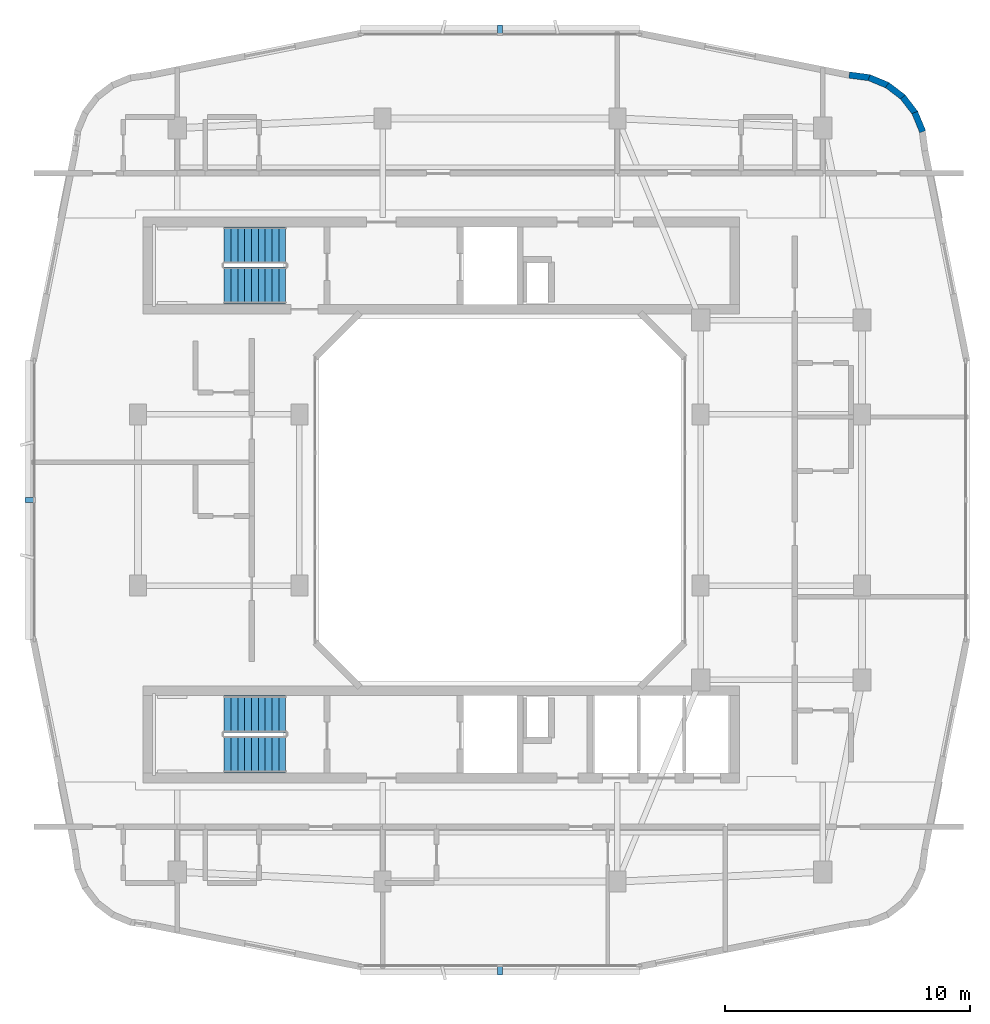
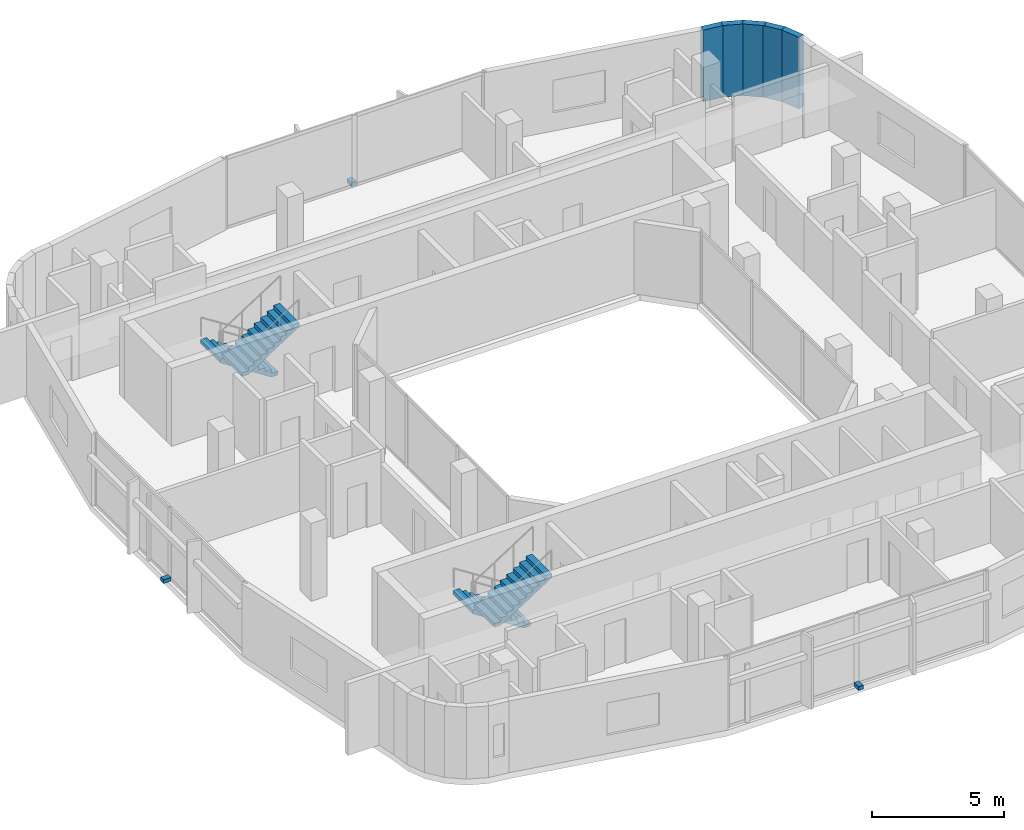
# One storey, part 10 of 14: 5 walls, 4 stair flights, 3 discrete accessories, 2 elements without a shape of their own.
"""IFC4 building model written with IfcOpenShell, lengths in metres."""

from ifc_helpers import new_model, si_unit, derived_unit, direction, frame, frame_2d, origin, origin_2d, place, context, subcontext, project, spatial, polyline, rectangle, outline, extrude, material, layer, layer_set, type_object, element, aggregate, save


model = new_model("IFC4")

# Units and contexts
model_context = context("Model", 3, precision=1e-05, world=origin(), true_north=direction((0.0, 1.0)))
body_context = subcontext(model_context, "Body", "Model", "MODEL_VIEW")
ifc_project = project(units=[si_unit("LENGTHUNIT", "METRE"), si_unit("AREAUNIT", "SQUARE_METRE"), si_unit("VOLUMEUNIT", "CUBIC_METRE"), si_unit("PLANEANGLEUNIT", "RADIAN"), si_unit("MASSUNIT", "GRAM", prefix="KILO"), derived_unit("THERMALTRANSMITTANCEUNIT", [(si_unit("POWERUNIT", "WATT"), 1), (si_unit("LENGTHUNIT", "METRE"), -2), (si_unit("THERMODYNAMICTEMPERATUREUNIT", "KELVIN"), -1)])], contexts=[model_context])

# Site, building, storey
site_placement = place(None, origin())
site = spatial("IfcSite", under=ifc_project, at=site_placement, CompositionType="ELEMENT")
building_placement = place(site_placement, origin())
building = spatial("IfcBuilding", under=site, at=building_placement, Name="Kivonza Crest Hotel", CompositionType="ELEMENT")
storey_placement = place(building_placement, frame((0.0, 0.0, 206.300048828125)))
storey = spatial("IfcBuildingStorey", under=building, at=storey_placement, Name="L56", CompositionType="ELEMENT", Elevation=206.300048828125)

# Walls
ifc_material_1 = material(Name="Precast concrete C40/50", Category="concrete")
ifc_layer = layer(ifc_material_1, 0.260009765625)
ifc_layer_set = layer_set([ifc_layer], Name="Precast concrete C40/50")
wall_type = type_object("IfcWallType", Name="WL-EXT-260", PredefinedType="STANDARD", material=ifc_layer_set)
wall_1_placement = place(storey_placement, frame((38.281005859375, 40.054931640625, 0.0), z_axis=(0.0, 0.0, 1.0), x_axis=(-0.382985169477, 0.923754491172, 0.0)))
element("IfcWall", 1, at=wall_1_placement, inside=storey, type_object=wall_type, Name="L56 T1 exterior insulated wall 20", PredefinedType="STANDARD", context=body_context, shape_type="SweptSolid", body=[
    extrude(rectangle(XDim=0.85107421875, YDim=0.260009765625, at=frame_2d((0.425537109375, 0.0))), origin(), (0.0, 0.0, 1.0), 3.320068359375),
])
for number, where, z_axis, x_axis, name in (
    (2, (37.98291015625, 40.801025390625, 0.0), (0.0, 0.0, 1.0), (-0.607918988881, 0.793999057278, 0.0), "L56 T1 exterior insulated wall 21"),
    (3, (37.50390625, 41.445068359375, 0.0), (0.0, 0.0, 1.0), (-0.793892896323, 0.608057619941, 0.0), "L56 T1 exterior insulated wall 22"),
):
    element("IfcWall", number, at=place(storey_placement, frame(where, z_axis=z_axis, x_axis=x_axis)), inside=storey, type_object=wall_type, Name=name, PredefinedType="STANDARD", context=body_context, shape_type="SweptSolid", body=[
        extrude(rectangle(XDim=0.85009765625, YDim=0.260009765625, at=frame_2d((0.425048828125, 0.0))), origin(), (0.0, 0.0, 1.0), 3.320068359375),
    ])
wall_2_placement = place(storey_placement, frame((36.873046875, 41.94091796875, 0.0), z_axis=(0.0, 0.0, 1.0), x_axis=(-0.923652976167, 0.383229930484, 0.0)))
element("IfcWall", 4, at=wall_2_placement, inside=storey, type_object=wall_type, Name="L56 T1 exterior insulated wall 23", PredefinedType="STANDARD", context=body_context, shape_type="SweptSolid", body=[
    extrude(rectangle(XDim=0.85107421875, YDim=0.260009765625, at=frame_2d((0.425537109375, 0.0))), origin(), (0.0, 0.0, 1.0), 3.320068359375),
])
wall_3_placement = place(storey_placement, frame((36.135986328125, 42.259033203125, 0.0), z_axis=(0.0, 0.0, 1.0), x_axis=(-0.991493480548, 0.130156359936, 0.0)))
element("IfcWall", 5, at=wall_3_placement, inside=storey, type_object=wall_type, Name="L56 T1 exterior insulated wall 24", PredefinedType="STANDARD", context=body_context, shape_type="SweptSolid", body=[
    extrude(rectangle(XDim=0.868408203125, YDim=0.260009765625, at=frame_2d((0.43408203125, 0.0))), origin(), (0.0, 0.0, 1.0), 3.320068359375),
])

# Stair, stair flights
ifc_material_2 = material(Name="Concrete C40/50", Category="concrete")
stair_type = type_object("IfcStairType", Name="ST-DL-20R", PredefinedType="HALF_TURN_STAIR", material=ifc_material_2)
stair_1_placement = place(storey_placement, origin())
stair_1 = element("IfcStair", 6, at=stair_1_placement, inside=storey, type_object=stair_type, Name="L56 Protected Exit Stair ST-T1-N", PredefinedType="HALF_TURN_STAIR")
stair_flight_type = type_object("IfcStairFlightType", Name="SFL-RC-10R", PredefinedType="STRAIGHT", material=ifc_material_2)
stair_flight_1_placement = place(storey_placement, frame((12.239990234375, 35.409912109375, 0.0), z_axis=(0.0, 0.0, 1.0), x_axis=(-1.0, 0.0, 0.0)))
stair_flight_1 = element("IfcStairFlight", 7, at=stair_flight_1_placement, type_object=stair_flight_type, Name="ST-T1-N flight 1", NumberOfRisers=10, NumberOfTreads=9, PredefinedType="STRAIGHT", RiserHeight=0.18, TreadLength=0.28, context=body_context, shape_type="SweptSolid", body=[
    extrude(outline(polyline([(0.0, 0.0), (0.0, 0.179931640625), (0.280029296875, 0.179931640625), (0.280029296875, 0.360107421875), (0.56005859375, 0.360107421875), (0.56005859375, 0.5400390625), (0.840087890625, 0.5400390625), (0.840087890625, 0.719970703125), (1.1201171875, 0.719970703125), (1.1201171875, 0.89990234375), (1.39990234375, 0.89990234375), (1.39990234375, 1.080078125), (1.679931640625, 1.080078125), (1.679931640625, 1.260009765625), (1.9599609375, 1.260009765625), (1.9599609375, 1.43994140625), (2.239990234375, 1.43994140625), (2.239990234375, 1.6201171875), (2.52001953125, 1.6201171875), (2.52001953125, 1.800048828125), (2.52001953125, 1.44189453125), (0.277099609375, 0.0), (0.0, 0.0)])), frame((0.0, 0.75, 0.0), z_axis=(0.0, -1.0, 0.0), x_axis=(1.0, 0.0, 0.0)), (0.0, 0.0, 1.0), 1.5),
])
stair_flight_2_placement = place(storey_placement, frame((9.719970703125, 33.77001953125, 1.800048828125), z_axis=(0.0, 0.0, 1.0), x_axis=(1.0, 0.0, 0.0)))
stair_flight_2 = element("IfcStairFlight", 8, at=stair_flight_2_placement, type_object=stair_flight_type, Name="ST-T1-N flight 2", NumberOfRisers=10, NumberOfTreads=9, PredefinedType="STRAIGHT", RiserHeight=0.18, TreadLength=0.28, context=body_context, shape_type="SweptSolid", body=[
    extrude(outline(polyline([(0.0, 0.0), (0.0, 0.179931640625), (0.280029296875, 0.179931640625), (0.280029296875, 0.360107421875), (0.56005859375, 0.360107421875), (0.56005859375, 0.5400390625), (0.840087890625, 0.5400390625), (0.840087890625, 0.719970703125), (1.1201171875, 0.719970703125), (1.1201171875, 0.89990234375), (1.39990234375, 0.89990234375), (1.39990234375, 1.080078125), (1.679931640625, 1.080078125), (1.679931640625, 1.260009765625), (1.9599609375, 1.260009765625), (1.9599609375, 1.43994140625), (2.239990234375, 1.43994140625), (2.239990234375, 1.6201171875), (2.52001953125, 1.6201171875), (2.52001953125, 1.800048828125), (2.52001953125, 1.44189453125), (0.277099609375, 0.0), (0.0, 0.0)])), frame((0.0, 0.75, 0.0), z_axis=(0.0, -1.0, 0.0), x_axis=(1.0, 0.0, 0.0)), (0.0, 0.0, 1.0), 1.5),
])
aggregate(stair_1, [stair_flight_1, stair_flight_2])

stair_2_placement = place(storey_placement, origin())
stair_2 = element("IfcStair", 9, at=stair_2_placement, inside=storey, type_object=stair_type, Name="L56 Protected Exit Stair ST-T1-S", PredefinedType="HALF_TURN_STAIR")
stair_flight_3_placement = place(storey_placement, frame((12.239990234375, 16.25, 0.0), z_axis=(0.0, 0.0, 1.0), x_axis=(-1.0, 0.0, 0.0)))
stair_flight_3 = element("IfcStairFlight", 10, at=stair_flight_3_placement, type_object=stair_flight_type, Name="ST-T1-S flight 1", NumberOfRisers=10, NumberOfTreads=9, PredefinedType="STRAIGHT", RiserHeight=0.18, TreadLength=0.28, context=body_context, shape_type="SweptSolid", body=[
    extrude(outline(polyline([(0.0, 0.0), (0.0, 0.179931640625), (0.280029296875, 0.179931640625), (0.280029296875, 0.360107421875), (0.56005859375, 0.360107421875), (0.56005859375, 0.5400390625), (0.840087890625, 0.5400390625), (0.840087890625, 0.719970703125), (1.1201171875, 0.719970703125), (1.1201171875, 0.89990234375), (1.39990234375, 0.89990234375), (1.39990234375, 1.080078125), (1.679931640625, 1.080078125), (1.679931640625, 1.260009765625), (1.9599609375, 1.260009765625), (1.9599609375, 1.43994140625), (2.239990234375, 1.43994140625), (2.239990234375, 1.6201171875), (2.52001953125, 1.6201171875), (2.52001953125, 1.800048828125), (2.52001953125, 1.44189453125), (0.277099609375, 0.0), (0.0, 0.0)])), frame((0.0, 0.75, 0.0), z_axis=(0.0, -1.0, 0.0), x_axis=(1.0, 0.0, 0.0)), (0.0, 0.0, 1.0), 1.5),
])
stair_flight_4_placement = place(storey_placement, frame((9.719970703125, 14.610107421875, 1.800048828125), z_axis=(0.0, 0.0, 1.0), x_axis=(1.0, 0.0, 0.0)))
stair_flight_4 = element("IfcStairFlight", 11, at=stair_flight_4_placement, type_object=stair_flight_type, Name="ST-T1-S flight 2", NumberOfRisers=10, NumberOfTreads=9, PredefinedType="STRAIGHT", RiserHeight=0.18, TreadLength=0.28, context=body_context, shape_type="SweptSolid", body=[
    extrude(outline(polyline([(0.0, 0.0), (0.0, 0.179931640625), (0.280029296875, 0.179931640625), (0.280029296875, 0.360107421875), (0.56005859375, 0.360107421875), (0.56005859375, 0.5400390625), (0.840087890625, 0.5400390625), (0.840087890625, 0.719970703125), (1.1201171875, 0.719970703125), (1.1201171875, 0.89990234375), (1.39990234375, 0.89990234375), (1.39990234375, 1.080078125), (1.679931640625, 1.080078125), (1.679931640625, 1.260009765625), (1.9599609375, 1.260009765625), (1.9599609375, 1.43994140625), (2.239990234375, 1.43994140625), (2.239990234375, 1.6201171875), (2.52001953125, 1.6201171875), (2.52001953125, 1.800048828125), (2.52001953125, 1.44189453125), (0.277099609375, 0.0), (0.0, 0.0)])), frame((0.0, 0.75, 0.0), z_axis=(0.0, -1.0, 0.0), x_axis=(1.0, 0.0, 0.0)), (0.0, 0.0, 1.0), 1.5),
])
aggregate(stair_2, [stair_flight_3, stair_flight_4])

# Discrete accessories
ifc_material_3 = material(Name="Stainless steel 316", Category="steel")
discrete_accessory_type = type_object("IfcDiscreteAccessoryType", Name="AC-BRACKET-240", PredefinedType="BRACKET", material=ifc_material_3)
for number, where, z_axis, x_axis, name in (
    (12, (21.0, 5.760009765625, -0.01025390625), (0.0, 0.0, 1.0), (1.0, 0.0, 0.0), "L56 terracotta baguette support bracket CW-T1-L56-08"),
    (13, (21.0, 44.239990234375, -0.01025390625), (0.0, 0.0, 1.0), (-1.0, 0.0, 0.0), "L56 terracotta baguette support bracket CW-T1-L56-26"),
    (14, (1.760009765625, 25.0, -0.01025390625), (0.0, 0.0, 1.0), (0.0, -1.0, 0.0), "L56 terracotta baguette support bracket CW-T1-L56-35"),
):
    element("IfcDiscreteAccessory", number, at=place(storey_placement, frame(where, z_axis=z_axis, x_axis=x_axis)), inside=storey, type_object=discrete_accessory_type, Name=name, PredefinedType="BRACKET", context=body_context, shape_type="SweptSolid", body=[
        extrude(rectangle(XDim=0.219970703125, YDim=0.340087890625, at=origin_2d()), origin(), (0.0, 0.0, 1.0), 0.179931640625),
    ])

save(model, "model.ifc")
